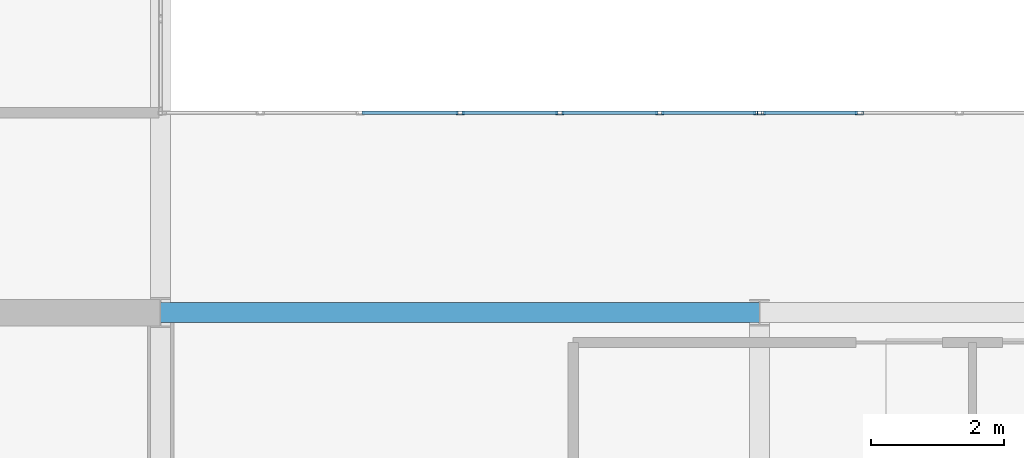
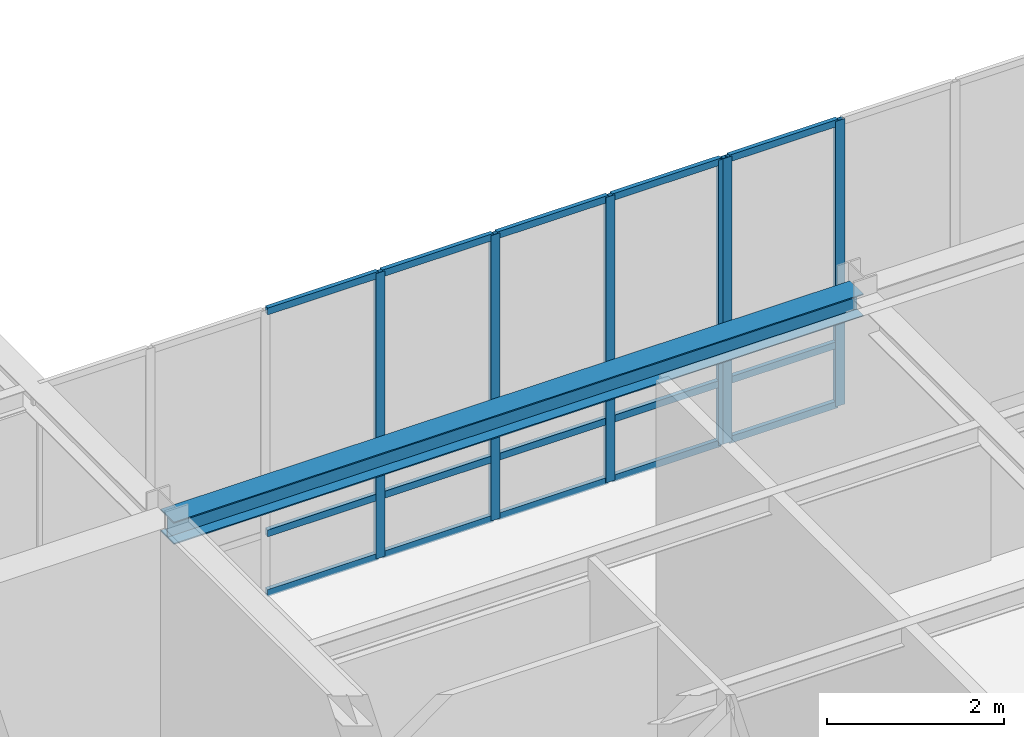
# One storey, part 20 of 130: 21 members, 1 beam, 2 elements without a shape of their own.
"""IFC4 building model written with IfcOpenShell, lengths in metres."""

import ifcopenshell
import ifcopenshell.guid

model = None  # the IFC model being written
_history = None  # IfcOwnerHistory: only IFC2X3 demands one
_inside = {}  # id of a spatial element -> (the spatial element, [elements in it])
_under = {}  # id of a project, library or spatial element -> (it, [spatial elements below it])
_declared = {}  # id of a project -> (the project, [libraries it declares])
_typed = {}  # id of a type object -> (the type object, [elements of that type])
_made_of = {}  # id of a material, layer set ... -> (it, [elements and type objects made of it])


def new_model(schema):
    """Start an empty IFC model of exactly this schema.

    Asked for "IFC4X3", IfcOpenShell would pick the latest addendum, in which some entities
    have other attributes; the version numbers below select the first issue.
    IFC2X3 requires an IfcOwnerHistory on every rooted entity: one is made here for all.
    """
    global model, _history
    if schema == "IFC4X3":
        model = ifcopenshell.file(schema_version=(4, 3, 0, 0))
    else:
        model = ifcopenshell.file(schema=schema)
    _inside.clear()
    _under.clear()
    _declared.clear()
    _typed.clear()
    _made_of.clear()
    _history = None
    if model.schema == "IFC2X3":
        org = make("IfcOrganization", Name="unknown")
        user = make(
            "IfcPersonAndOrganization",
            ThePerson=make("IfcPerson", FamilyName="unknown"),
            TheOrganization=org,
        )
        app = make(
            "IfcApplication",
            ApplicationDeveloper=org,
            Version="unknown",
            ApplicationFullName="unknown",
            ApplicationIdentifier="unknown",
        )
        _history = make(
            "IfcOwnerHistory",
            OwningUser=user,
            OwningApplication=app,
            ChangeAction="ADDED",
            CreationDate=0,
        )
    return model


def make(cls, **values):
    """One entity of the class cls with the attributes given. An attribute that is None is left unset."""
    return model.create_entity(
        cls, **{name: value for name, value in values.items() if value is not None}
    )


def rooted(cls, **values):
    """An entity with a GlobalId (a new one), such as an element, a storey or a relation."""
    return make(cls, GlobalId=ifcopenshell.guid.new(), OwnerHistory=_history, **values)


def si_unit(unit_type, name, prefix=None):
    """IfcSIUnit, for example si_unit("LENGTHUNIT", "METRE", prefix="MILLI")."""
    return make("IfcSIUnit", UnitType=unit_type, Prefix=prefix, Name=name)


def assignment(units):
    """IfcUnitAssignment: the units of a project."""
    return None if units is None else make("IfcUnitAssignment", Units=units)


def point(xyz):
    """IfcCartesianPoint."""
    return None if xyz is None else make("IfcCartesianPoint", Coordinates=xyz)


def direction(xyz):
    """IfcDirection."""
    return None if xyz is None else make("IfcDirection", DirectionRatios=xyz)


def frame(location, z_axis=None, x_axis=None):
    """IfcAxis2Placement3D, a coordinate frame: its origin and axes. An axis left out is left unset."""
    return make(
        "IfcAxis2Placement3D",
        Location=point(location),
        Axis=direction(z_axis),
        RefDirection=direction(x_axis),
    )


def frame_2d(location, x_axis=None):
    """IfcAxis2Placement2D, a coordinate frame in the plane: its origin and x axis."""
    return make(
        "IfcAxis2Placement2D", Location=point(location), RefDirection=direction(x_axis)
    )


def origin():
    """The frame at (0, 0, 0) with its axes left unset."""
    return frame((0.0, 0.0, 0.0))


def origin_2d():
    """The frame at (0, 0) in the plane with its x axis left unset."""
    return frame_2d((0.0, 0.0))


def place(relative_to, where):
    """IfcLocalPlacement: puts the frame where relative to a parent placement (None: the world)."""
    return make(
        "IfcLocalPlacement", PlacementRelTo=relative_to, RelativePlacement=where
    )


def context(
    kind, dimensions, precision=None, world=None, true_north=None, identifier=None
):
    """IfcGeometricRepresentationContext, for example the 3D "Model" context."""
    return make(
        "IfcGeometricRepresentationContext",
        ContextIdentifier=identifier,
        ContextType=kind,
        CoordinateSpaceDimension=dimensions,
        Precision=precision,
        WorldCoordinateSystem=world,
        TrueNorth=true_north,
    )


def subcontext(parent, identifier, kind, view, scale=None):
    """IfcGeometricRepresentationSubContext, for example "Body" below "Model"."""
    return make(
        "IfcGeometricRepresentationSubContext",
        ContextIdentifier=identifier,
        ContextType=kind,
        ParentContext=parent,
        TargetScale=scale,
        TargetView=view,
    )


def project(units=None, contexts=None):
    """IfcProject with its units and contexts."""
    return rooted(
        "IfcProject",
        Name="project",
        RepresentationContexts=contexts,
        UnitsInContext=assignment(units),
    )


def spatial(cls, under=None, at=None, **own):
    """A site, building, storey or space (cls), placed at a placement, below another one or the project."""
    s = rooted(cls, ObjectPlacement=at, **own)
    if under is not None:
        _under.setdefault(under.id(), (under, []))[1].append(s)
    return s


def profile(cls, at=None, kind="AREA", **sizes):
    """A parametric profile (cls). Its sizes go by their IFC names, for example OverallWidth=200.0."""
    return make(cls, ProfileType=kind, Position=at, **sizes)


def hollow_rectangle(**sizes):
    """IfcRectangleHollowProfileDef."""
    return profile("IfcRectangleHollowProfileDef", **sizes)


def i_section(**sizes):
    """IfcIShapeProfileDef."""
    return profile("IfcIShapeProfileDef", **sizes)


def extrude(swept, where, along, depth):
    """IfcExtrudedAreaSolid: the profile swept, set in the frame where, extruded along a direction by depth."""
    return make(
        "IfcExtrudedAreaSolid",
        SweptArea=swept,
        Position=where,
        ExtrudedDirection=direction(along),
        Depth=depth,
    )


def shape(context_of_items, identifier, shape_type, items):
    """IfcShapeRepresentation: the items that make up one representation, for example the "Body"."""
    return make(
        "IfcShapeRepresentation",
        ContextOfItems=context_of_items,
        RepresentationIdentifier=identifier,
        RepresentationType=shape_type,
        Items=items,
    )


def material(Name=None, Category=None):
    """IfcMaterial."""
    return make("IfcMaterial", Name=Name, Category=Category)


def material_profile(
    of_material, cross_section, Name=None, Category=None, Priority=None
):
    """IfcMaterialProfile: a cross section and its material."""
    return make(
        "IfcMaterialProfile",
        Name=Name,
        Material=of_material,
        Profile=cross_section,
        Priority=Priority,
        Category=Category,
    )


def profile_set(profiles, Name=None, composite=None):
    """IfcMaterialProfileSet."""
    return make(
        "IfcMaterialProfileSet",
        Name=Name,
        MaterialProfiles=profiles,
        CompositeProfile=composite,
    )


def made_of(thing, what):
    """Note that an element or type object is made of a material, layer set ...; save() writes the relation."""
    if what is not None:
        _made_of.setdefault(what.id(), (what, []))[1].append(thing)
    return thing


def type_object(cls, material=None, **own):
    """A type object (cls), such as IfcWallType, which elements share."""
    return made_of(rooted(cls, **own), material)


def element(
    cls,
    number,
    at=None,
    inside=None,
    cuts=None,
    type_object=None,
    material=None,
    context=None,
    identifier="Body",
    shape_type=None,
    held_by="IfcProductDefinitionShape",
    body=None,
    shapes=None,
    **own,
):
    """One element of the class cls, such as IfcWall. Its Tag is "e" and its number.

    at: its placement. inside: the storey or other place that contains it. cuts: it is an
    opening in that element (IfcRelVoidsElement). A single representation is given by context,
    identifier, shape_type and body (its items); several are given by shapes. held_by: the class
    of the entity that holds the representations. save() writes the other relations.
    """
    e = rooted(cls, Tag="e%d" % number, ObjectPlacement=at, **own)
    if body is not None:
        shapes = [shape(context, identifier, shape_type, body)]
    if shapes is not None:
        e.Representation = make(held_by, Representations=shapes)
    if inside is not None:
        _inside.setdefault(inside.id(), (inside, []))[1].append(e)
    if cuts is not None:
        rooted(
            "IfcRelVoidsElement", RelatingBuildingElement=cuts, RelatedOpeningElement=e
        )
    if type_object is not None:
        _typed.setdefault(type_object.id(), (type_object, []))[1].append(e)
    return made_of(e, material)


def aggregate(whole, parts):
    """IfcRelAggregates: a whole, such as a stair, and the parts it consists of."""
    return rooted("IfcRelAggregates", RelatingObject=whole, RelatedObjects=parts)


def save(model, path):
    """Write the relations noted so far, then the file.

    IfcRelAggregates (storeys below a building ...), IfcRelContainedInSpatialStructure (elements
    in a storey), IfcRelDefinesByType, IfcRelAssociatesMaterial and IfcRelDeclares: one each for
    every whole, place, type object, material and project.
    """
    for whole, parts in _under.values():
        aggregate(whole, parts)
    for where, things in _inside.values():
        rooted(
            "IfcRelContainedInSpatialStructure",
            RelatedElements=things,
            RelatingStructure=where,
        )
    for kind, things in _typed.values():
        rooted("IfcRelDefinesByType", RelatedObjects=things, RelatingType=kind)
    for what, things in _made_of.values():
        rooted("IfcRelAssociatesMaterial", RelatedObjects=things, RelatingMaterial=what)
    for by, libraries in _declared.values():
        rooted("IfcRelDeclares", RelatingContext=by, RelatedDefinitions=libraries)
    model.write(path)


model = new_model("IFC4")

# Units and contexts
model_context = context("Model", 3, precision=1e-05, world=origin(), true_north=direction((0.0, 1.0)))
body_context = subcontext(model_context, "Body", "Model", "MODEL_VIEW")
ifc_project = project(units=[si_unit("LENGTHUNIT", "METRE"), si_unit("AREAUNIT", "SQUARE_METRE"), si_unit("VOLUMEUNIT", "CUBIC_METRE"), si_unit("PLANEANGLEUNIT", "RADIAN"), si_unit("MASSUNIT", "GRAM", prefix="KILO")], contexts=[model_context])

# Site, building, storey
site_placement = place(None, origin())
site = spatial("IfcSite", under=ifc_project, at=site_placement, CompositionType="ELEMENT")
building_placement = place(site_placement, origin())
building = spatial("IfcBuilding", under=site, at=building_placement, Name="Lykobir Media Centre", CompositionType="ELEMENT")
storey_placement = place(building_placement, frame((0.0, 0.0, 19.199951171875)))
storey = spatial("IfcBuildingStorey", under=building, at=storey_placement, Name="L04", CompositionType="ELEMENT", Elevation=19.199951171875)

# Curtain wall, members
ifc_material_1 = material(Name="Anodized Aluminium AW-6060", Category="aluminium")
curtain_wall_type = type_object("IfcCurtainWallType", Name="CW-COURT-B", PredefinedType="NOTDEFINED", material=ifc_material_1)
curtain_wall_1_placement = place(storey_placement, origin())
curtain_wall_1 = element("IfcCurtainWall", 1, at=curtain_wall_1_placement, inside=storey, type_object=curtain_wall_type, Name="Curtain wall CW2-L04-0150", PredefinedType="NOTDEFINED")
ifc_material_profile_1 = material_profile(ifc_material_1, hollow_rectangle(XDim=0.054931640625, YDim=0.1201171875, WallThickness=0.003173828125, at=origin_2d()), Name="ALU MULLION 55x120")
ifc_profile_set_1 = profile_set([ifc_material_profile_1], Name="Anodized Aluminium AW-6060")
member_type_1 = type_object("IfcMemberType", Name="CWM-120", PredefinedType="MULLION", material=ifc_profile_set_1)
member_1_placement = place(storey_placement, frame((40.5, 21.0, 0.0), z_axis=(0.0, 0.0, 1.0), x_axis=(0.0, 1.0, 0.0)))
member_1 = element("IfcMember", 2, at=member_1_placement, type_object=member_type_1, Name="CW2-L04-0150 mullion 4", PredefinedType="MULLION", context=body_context, shape_type="SweptSolid", body=[
    extrude(hollow_rectangle(XDim=0.054931640625, YDim=0.1201171875, WallThickness=0.003173828125, at=origin_2d()), origin(), (0.0, 0.0, 1.0), 3.93994140625),
])
member_2_placement = place(storey_placement, frame((42.0, 21.0, 0.0), z_axis=(0.0, 0.0, 1.0), x_axis=(0.0, 1.0, 0.0)))
member_2 = element("IfcMember", 3, at=member_2_placement, type_object=member_type_1, Name="CW2-L04-0150 mullion 5", PredefinedType="MULLION", context=body_context, shape_type="SweptSolid", body=[
    extrude(hollow_rectangle(XDim=0.054931640625, YDim=0.1201171875, WallThickness=0.003173828125, at=origin_2d()), origin(), (0.0, 0.0, 1.0), 3.93994140625),
])
member_3_placement = place(storey_placement, frame((43.5, 21.0, 0.0), z_axis=(0.0, 0.0, 1.0), x_axis=(0.0, 1.0, 0.0)))
member_3 = element("IfcMember", 4, at=member_3_placement, type_object=member_type_1, Name="CW2-L04-0150 mullion 6", PredefinedType="MULLION", context=body_context, shape_type="SweptSolid", body=[
    extrude(hollow_rectangle(XDim=0.054931640625, YDim=0.1201171875, WallThickness=0.003173828125, at=origin_2d()), origin(), (0.0, 0.0, 1.0), 3.93994140625),
])
member_4_placement = place(storey_placement, frame((44.972412109375, 21.0, 0.0), z_axis=(0.0, 0.0, 1.0), x_axis=(0.0, 1.0, 0.0)))
member_4 = element("IfcMember", 5, at=member_4_placement, type_object=member_type_1, Name="CW2-L04-0150 mullion 7", PredefinedType="MULLION", context=body_context, shape_type="SweptSolid", body=[
    extrude(hollow_rectangle(XDim=0.054931640625, YDim=0.1201171875, WallThickness=0.003173828125, at=origin_2d()), origin(), (0.0, 0.0, 1.0), 3.93994140625),
])

curtain_wall_2_placement = place(storey_placement, origin())
curtain_wall_2 = element("IfcCurtainWall", 6, at=curtain_wall_2_placement, inside=storey, type_object=curtain_wall_type, Name="Curtain wall CW2-L04-0151", PredefinedType="NOTDEFINED")
member_5_placement = place(storey_placement, frame((45.027587890625, 21.0, 0.0), z_axis=(0.0, 0.0, 1.0), x_axis=(0.0, 1.0, 0.0)))
member_5 = element("IfcMember", 7, at=member_5_placement, type_object=member_type_1, Name="CW2-L04-0151 mullion 1", PredefinedType="MULLION", context=body_context, shape_type="SweptSolid", body=[
    extrude(hollow_rectangle(XDim=0.054931640625, YDim=0.1201171875, WallThickness=0.003173828125, at=origin_2d()), origin(), (0.0, 0.0, 1.0), 3.93994140625),
])
member_6_placement = place(storey_placement, frame((46.5, 21.0, 0.0), z_axis=(0.0, 0.0, 1.0), x_axis=(0.0, 1.0, 0.0)))
member_6 = element("IfcMember", 8, at=member_6_placement, type_object=member_type_1, Name="CW2-L04-0151 mullion 2", PredefinedType="MULLION", context=body_context, shape_type="SweptSolid", body=[
    extrude(hollow_rectangle(XDim=0.054931640625, YDim=0.1201171875, WallThickness=0.003173828125, at=origin_2d()), origin(), (0.0, 0.0, 1.0), 3.93994140625),
])

# Member
ifc_material_profile_2 = material_profile(ifc_material_1, hollow_rectangle(XDim=0.054931640625, YDim=0.094970703125, WallThickness=0.0029296875, at=origin_2d()), Name="ALU TRANSOM 55x95")
ifc_profile_set_2 = profile_set([ifc_material_profile_2], Name="Anodized Aluminium AW-6060")
member_type_2 = type_object("IfcMemberType", Name="CWT-095", PredefinedType="USERDEFINED", material=ifc_profile_set_2)
member_7_placement = place(storey_placement, frame((39.027587890625, 21.0, 0.027587890625), z_axis=(1.0, 0.0, 0.0), x_axis=(0.0, 1.0, 0.0)))
member_7 = element("IfcMember", 9, at=member_7_placement, type_object=member_type_2, Name="CW2-L04-0150 transom 3.1", ObjectType="TRANSOM", PredefinedType="USERDEFINED", context=body_context, shape_type="SweptSolid", body=[
    extrude(hollow_rectangle(XDim=0.054931640625, YDim=0.094970703125, WallThickness=0.0029296875, at=origin_2d()), origin(), (0.0, 0.0, 1.0), 1.44482421875),
])

member_8_placement = place(storey_placement, frame((39.027587890625, 21.0, 0.85009765625), z_axis=(1.0, 0.0, 0.0), x_axis=(0.0, 1.0, 0.0)))
member_8 = element("IfcMember", 10, at=member_8_placement, type_object=member_type_2, Name="CW2-L04-0150 transom 3.2", ObjectType="TRANSOM", PredefinedType="USERDEFINED", context=body_context, shape_type="SweptSolid", body=[
    extrude(hollow_rectangle(XDim=0.054931640625, YDim=0.094970703125, WallThickness=0.0029296875, at=origin_2d()), origin(), (0.0, 0.0, 1.0), 1.44482421875),
])

member_9_placement = place(storey_placement, frame((39.027587890625, 21.0, 3.91259765625), z_axis=(1.0, 0.0, 0.0), x_axis=(0.0, 1.0, 0.0)))
member_9 = element("IfcMember", 11, at=member_9_placement, type_object=member_type_2, Name="CW2-L04-0150 transom 3.3", ObjectType="TRANSOM", PredefinedType="USERDEFINED", context=body_context, shape_type="SweptSolid", body=[
    extrude(hollow_rectangle(XDim=0.054931640625, YDim=0.094970703125, WallThickness=0.0029296875, at=origin_2d()), origin(), (0.0, 0.0, 1.0), 1.44482421875),
])

member_10_placement = place(storey_placement, frame((40.527587890625, 21.0, 0.027587890625), z_axis=(1.0, 0.0, 0.0), x_axis=(0.0, 1.0, 0.0)))
member_10 = element("IfcMember", 12, at=member_10_placement, type_object=member_type_2, Name="CW2-L04-0150 transom 4.1", ObjectType="TRANSOM", PredefinedType="USERDEFINED", context=body_context, shape_type="SweptSolid", body=[
    extrude(hollow_rectangle(XDim=0.054931640625, YDim=0.094970703125, WallThickness=0.0029296875, at=origin_2d()), origin(), (0.0, 0.0, 1.0), 1.44482421875),
])

member_11_placement = place(storey_placement, frame((40.527587890625, 21.0, 0.85009765625), z_axis=(1.0, 0.0, 0.0), x_axis=(0.0, 1.0, 0.0)))
member_11 = element("IfcMember", 13, at=member_11_placement, type_object=member_type_2, Name="CW2-L04-0150 transom 4.2", ObjectType="TRANSOM", PredefinedType="USERDEFINED", context=body_context, shape_type="SweptSolid", body=[
    extrude(hollow_rectangle(XDim=0.054931640625, YDim=0.094970703125, WallThickness=0.0029296875, at=origin_2d()), origin(), (0.0, 0.0, 1.0), 1.44482421875),
])

member_12_placement = place(storey_placement, frame((40.527587890625, 21.0, 3.91259765625), z_axis=(1.0, 0.0, 0.0), x_axis=(0.0, 1.0, 0.0)))
member_12 = element("IfcMember", 14, at=member_12_placement, type_object=member_type_2, Name="CW2-L04-0150 transom 4.3", ObjectType="TRANSOM", PredefinedType="USERDEFINED", context=body_context, shape_type="SweptSolid", body=[
    extrude(hollow_rectangle(XDim=0.054931640625, YDim=0.094970703125, WallThickness=0.0029296875, at=origin_2d()), origin(), (0.0, 0.0, 1.0), 1.44482421875),
])

member_13_placement = place(storey_placement, frame((42.027587890625, 21.0, 0.027587890625), z_axis=(1.0, 0.0, 0.0), x_axis=(0.0, 1.0, 0.0)))
member_13 = element("IfcMember", 15, at=member_13_placement, type_object=member_type_2, Name="CW2-L04-0150 transom 5.1", ObjectType="TRANSOM", PredefinedType="USERDEFINED", context=body_context, shape_type="SweptSolid", body=[
    extrude(hollow_rectangle(XDim=0.054931640625, YDim=0.094970703125, WallThickness=0.0029296875, at=origin_2d()), origin(), (0.0, 0.0, 1.0), 1.44482421875),
])

member_14_placement = place(storey_placement, frame((42.027587890625, 21.0, 0.85009765625), z_axis=(1.0, 0.0, 0.0), x_axis=(0.0, 1.0, 0.0)))
member_14 = element("IfcMember", 16, at=member_14_placement, type_object=member_type_2, Name="CW2-L04-0150 transom 5.2", ObjectType="TRANSOM", PredefinedType="USERDEFINED", context=body_context, shape_type="SweptSolid", body=[
    extrude(hollow_rectangle(XDim=0.054931640625, YDim=0.094970703125, WallThickness=0.0029296875, at=origin_2d()), origin(), (0.0, 0.0, 1.0), 1.44482421875),
])

member_15_placement = place(storey_placement, frame((42.027587890625, 21.0, 3.91259765625), z_axis=(1.0, 0.0, 0.0), x_axis=(0.0, 1.0, 0.0)))
member_15 = element("IfcMember", 17, at=member_15_placement, type_object=member_type_2, Name="CW2-L04-0150 transom 5.3", ObjectType="TRANSOM", PredefinedType="USERDEFINED", context=body_context, shape_type="SweptSolid", body=[
    extrude(hollow_rectangle(XDim=0.054931640625, YDim=0.094970703125, WallThickness=0.0029296875, at=origin_2d()), origin(), (0.0, 0.0, 1.0), 1.44482421875),
])

member_16_placement = place(storey_placement, frame((43.527587890625, 21.0, 0.027587890625), z_axis=(1.0, 0.0, 0.0), x_axis=(0.0, 1.0, 0.0)))
member_16 = element("IfcMember", 18, at=member_16_placement, type_object=member_type_2, Name="CW2-L04-0150 transom 6.1", ObjectType="TRANSOM", PredefinedType="USERDEFINED", context=body_context, shape_type="SweptSolid", body=[
    extrude(hollow_rectangle(XDim=0.054931640625, YDim=0.094970703125, WallThickness=0.0029296875, at=origin_2d()), origin(), (0.0, 0.0, 1.0), 1.41748046875),
])

member_17_placement = place(storey_placement, frame((43.527587890625, 21.0, 0.85009765625), z_axis=(1.0, 0.0, 0.0), x_axis=(0.0, 1.0, 0.0)))
member_17 = element("IfcMember", 19, at=member_17_placement, type_object=member_type_2, Name="CW2-L04-0150 transom 6.2", ObjectType="TRANSOM", PredefinedType="USERDEFINED", context=body_context, shape_type="SweptSolid", body=[
    extrude(hollow_rectangle(XDim=0.054931640625, YDim=0.094970703125, WallThickness=0.0029296875, at=origin_2d()), origin(), (0.0, 0.0, 1.0), 1.41748046875),
])

member_18_placement = place(storey_placement, frame((43.527587890625, 21.0, 3.91259765625), z_axis=(1.0, 0.0, 0.0), x_axis=(0.0, 1.0, 0.0)))
member_18 = element("IfcMember", 20, at=member_18_placement, type_object=member_type_2, Name="CW2-L04-0150 transom 6.3", ObjectType="TRANSOM", PredefinedType="USERDEFINED", context=body_context, shape_type="SweptSolid", body=[
    extrude(hollow_rectangle(XDim=0.054931640625, YDim=0.094970703125, WallThickness=0.0029296875, at=origin_2d()), origin(), (0.0, 0.0, 1.0), 1.41748046875),
])

aggregate(curtain_wall_1, [member_1, member_2, member_3, member_4, member_7, member_8, member_9, member_10, member_11, member_12, member_13, member_14, member_15, member_16, member_17, member_18])

member_19_placement = place(storey_placement, frame((45.054931640625, 21.0, 0.027587890625), z_axis=(1.0, 0.0, 0.0), x_axis=(0.0, 1.0, 0.0)))
member_19 = element("IfcMember", 21, at=member_19_placement, type_object=member_type_2, Name="CW2-L04-0151 transom 1.1", ObjectType="TRANSOM", PredefinedType="USERDEFINED", context=body_context, shape_type="SweptSolid", body=[
    extrude(hollow_rectangle(XDim=0.054931640625, YDim=0.094970703125, WallThickness=0.0029296875, at=origin_2d()), origin(), (0.0, 0.0, 1.0), 1.41748046875),
])

member_20_placement = place(storey_placement, frame((45.054931640625, 21.0, 0.85009765625), z_axis=(1.0, 0.0, 0.0), x_axis=(0.0, 1.0, 0.0)))
member_20 = element("IfcMember", 22, at=member_20_placement, type_object=member_type_2, Name="CW2-L04-0151 transom 1.2", ObjectType="TRANSOM", PredefinedType="USERDEFINED", context=body_context, shape_type="SweptSolid", body=[
    extrude(hollow_rectangle(XDim=0.054931640625, YDim=0.094970703125, WallThickness=0.0029296875, at=origin_2d()), origin(), (0.0, 0.0, 1.0), 1.41748046875),
])

member_21_placement = place(storey_placement, frame((45.054931640625, 21.0, 3.91259765625), z_axis=(1.0, 0.0, 0.0), x_axis=(0.0, 1.0, 0.0)))
member_21 = element("IfcMember", 23, at=member_21_placement, type_object=member_type_2, Name="CW2-L04-0151 transom 1.3", ObjectType="TRANSOM", PredefinedType="USERDEFINED", context=body_context, shape_type="SweptSolid", body=[
    extrude(hollow_rectangle(XDim=0.054931640625, YDim=0.094970703125, WallThickness=0.0029296875, at=origin_2d()), origin(), (0.0, 0.0, 1.0), 1.41748046875),
])

aggregate(curtain_wall_2, [member_5, member_6, member_19, member_20, member_21])

# Beam
ifc_material_2 = material(Name="Steel S355", Category="steel")
ifc_material_profile_3 = material_profile(ifc_material_2, i_section(OverallWidth=0.300048828125, OverallDepth=0.31005859375, WebThickness=0.009033203125, FlangeThickness=0.015380859375, at=origin_2d()), Name="HEA 320")
ifc_profile_set_3 = profile_set([ifc_material_profile_3], Name="Steel S355")
beam_type = type_object("IfcBeamType", Name="SP-HEA320", PredefinedType="SPANDREL", material=ifc_profile_set_3)
beam_placement = place(storey_placement, frame((36.0, 18.0, 3.804931640625), z_axis=(1.0, 0.0, 0.0), x_axis=(0.0, 1.0, 0.0)))
element("IfcBeam", 24, at=beam_placement, inside=storey, type_object=beam_type, Name="Beam BM-L04-0360-0180-0450-0180-2300", PredefinedType="SPANDREL", context=body_context, shape_type="SweptSolid", body=[
    extrude(i_section(OverallWidth=0.300048828125, OverallDepth=0.31005859375, WebThickness=0.009033203125, FlangeThickness=0.015380859375, at=origin_2d()), origin(), (0.0, 0.0, 1.0), 9.0),
])

save(model, "model.ifc")
